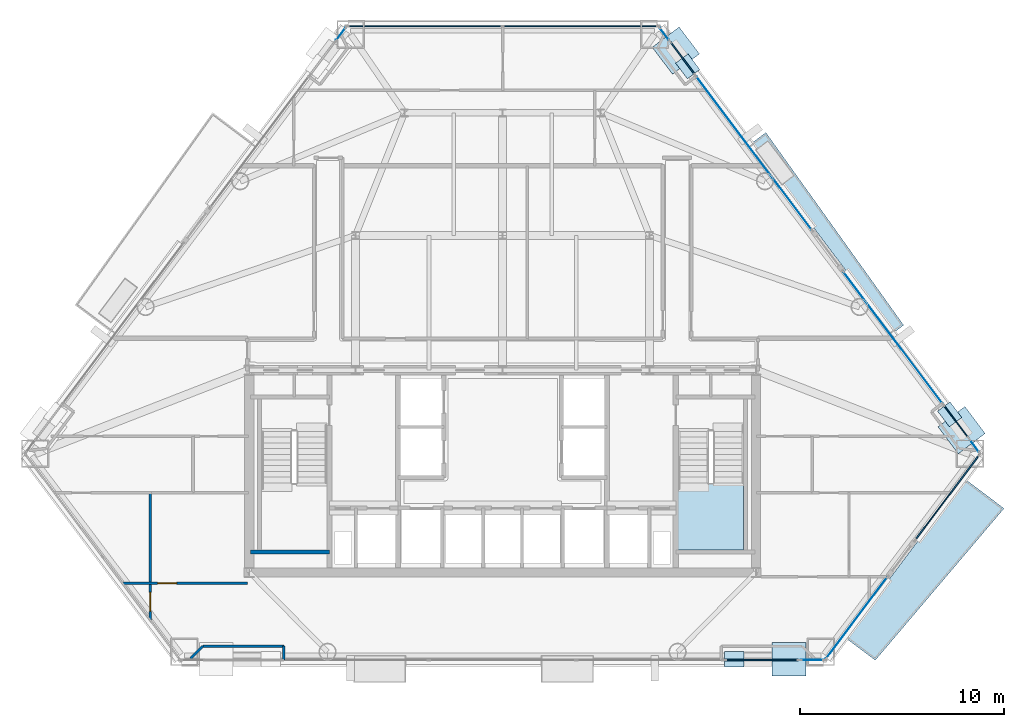
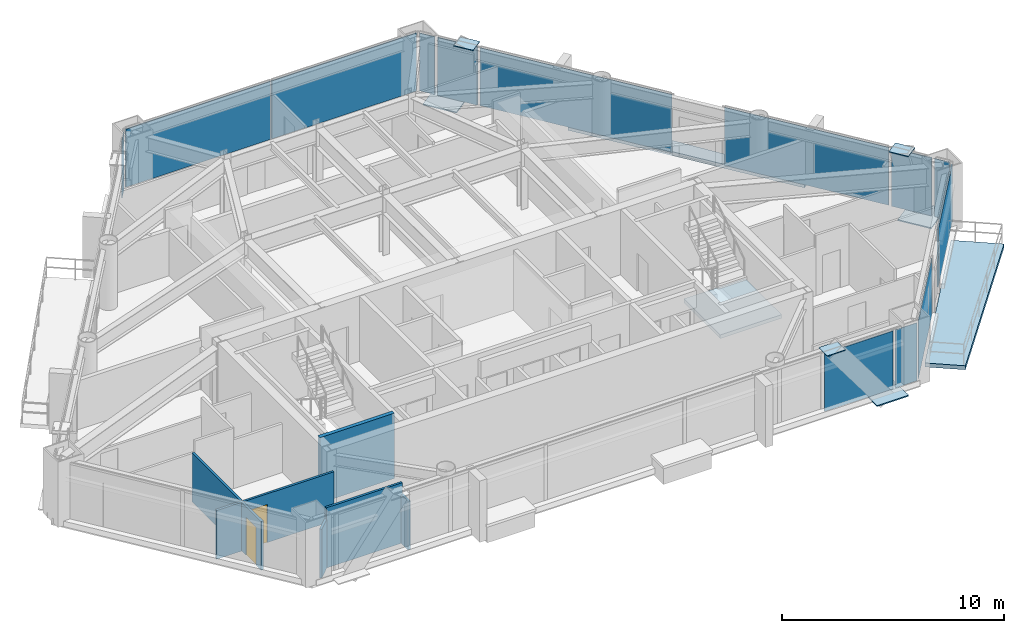
# One storey, part 8 of 14: 19 plates, 6 walls, 3 slabs, 2 doors, 2 openings, 13 elements without a shape of their own.
"""IFC4 building model written with IfcOpenShell, lengths in metres."""

from ifc_helpers import new_model, si_unit, direction, frame, frame_2d, origin, origin_2d, place, context, subcontext, project, spatial, polyline, rectangle, outline, extrude, source, transform, mapped, material, layer, layer_set, type_object, type_shapes, element, fill, aggregate, save


model = new_model("IFC4")

# Units and contexts
model_context = context("Model", 3, precision=1e-05, world=origin(), true_north=direction((0.0, 1.0)))
body_context = subcontext(model_context, "Body", "Model", "MODEL_VIEW")
ifc_project = project(units=[si_unit("LENGTHUNIT", "METRE"), si_unit("AREAUNIT", "SQUARE_METRE"), si_unit("VOLUMEUNIT", "CUBIC_METRE"), si_unit("PLANEANGLEUNIT", "RADIAN"), si_unit("MASSUNIT", "GRAM", prefix="KILO")], contexts=[model_context])

# Site, building, storey
site_placement = place(None, origin())
site = spatial("IfcSite", under=ifc_project, at=site_placement, CompositionType="ELEMENT")
building_placement = place(site_placement, origin())
building = spatial("IfcBuilding", under=site, at=building_placement, Name="Talgorran Terracotta Tower", CompositionType="ELEMENT")
storey_placement = place(building_placement, frame((0.0, 0.0, 56.699951171875)))
storey = spatial("IfcBuildingStorey", under=building, at=storey_placement, Name="L14", CompositionType="ELEMENT", Elevation=56.699951171875)

# Plates
ifc_material_1 = material(Name="Steel Grade 350 (350L0)", Category="steel")
ifc_layer_1 = layer(ifc_material_1, 0.0400390625, Name="PL_CAP_MN05")
ifc_layer_set_1 = layer_set([ifc_layer_1], Name="Steel Grade 350 (350L0)")
plate_type_1 = type_object("IfcPlateType", Name="PL_CAP_MN05", PredefinedType="USERDEFINED", material=ifc_layer_set_1)
for number, where, z_axis, x_axis, name in (
    (1, (11.3466796875, -18.35107421875, 3.2900390625), (0.0, 0.0, 1.0), (-1.0, 0.0, 0.0), "L14 Diagonal Frame End Cap SEF Top"),
    (2, (21.889892578125, -6.365478515625, 3.2900390625), (0.0, 0.0, 1.0), (-0.6013967761, 0.798950510167, 0.0), "L14 Diagonal Frame End Cap NEL Top"),
    (3, (9.0634765625, 10.67236328125, 3.2900390625), (0.0, 0.0, 1.0), (0.6013967761, -0.798950510167, 0.0), "L14 Diagonal Frame End Cap NEU Top"),
):
    element("IfcPlate", number, at=place(storey_placement, frame(where, z_axis=z_axis, x_axis=x_axis)), inside=storey, type_object=plate_type_1, Name=name, ObjectType="CAP PLATE", PredefinedType="USERDEFINED", context=body_context, shape_type="SweptSolid", body=[
        extrude(rectangle(XDim=0.9599609375, YDim=0.760009765625, at=origin_2d()), origin(), (0.0, 0.0, 1.0), 0.0400390625),
    ])
ifc_layer_2 = layer(ifc_material_1, 0.06005859375, Name="PL_NODE_MN01")
ifc_layer_set_2 = layer_set([ifc_layer_2], Name="Steel Grade 350 (350L0)")
plate_type_2 = type_object("IfcPlateType", Name="PL_NODE_MN01", PredefinedType="USERDEFINED", material=ifc_layer_set_2)
for number, where, z_axis, x_axis, name in (
    (4, (14.025634765625, -18.35107421875, -0.02001953125), (0.0, 0.0, 1.0), (-1.0, 0.0, 0.0), "L14 Diagonal Frame End Cap SEF Bot"),
    (5, (22.471435546875, -7.13818359375, -0.02001953125), (0.0, 0.0, 1.0), (-0.6013967761, 0.798950510167, 0.0), "L14 Diagonal Frame End Cap NEL Bot"),
    (6, (8.481689453125, 11.44482421875, -0.02001953125), (0.0, 0.0, 1.0), (0.6013967761, -0.798950510167, 0.0), "L14 Diagonal Frame End Cap NEU Bot"),
):
    element("IfcPlate", number, at=place(storey_placement, frame(where, z_axis=z_axis, x_axis=x_axis)), inside=storey, type_object=plate_type_2, Name=name, ObjectType="NODE PLATE", PredefinedType="USERDEFINED", context=body_context, shape_type="SweptSolid", body=[
        extrude(rectangle(XDim=1.64990234375, YDim=1.64990234375, at=origin_2d()), origin(), (0.0, 0.0, 1.0), 0.06005859375),
    ])

# Slabs
ifc_material_2 = material(Name="Concrete C40/50", Category="concrete")
ifc_layer_3 = layer(ifc_material_2, 0.219970703125, Name="SL_BALCONY_220")
ifc_layer_set_3 = layer_set([ifc_layer_3], Name="Concrete C40/50")
slab_type_1 = type_object("IfcSlabType", Name="SL_BALCONY_220", PredefinedType="FLOOR", material=ifc_layer_set_3)
slab_1_placement = place(storey_placement, frame((0.0, 0.0, -0.219970703125)))
element("IfcSlab", 7, at=slab_1_placement, inside=storey, type_object=slab_type_1, Name="L14 Outdoor Wave Balcony BAL-NE", PredefinedType="FLOOR", context=body_context, shape_type="SweptSolid", body=[
    extrude(outline(polyline([(12.14404296875, 6.87109375), (19.11328125, -2.386474609375), (19.63232421875, -1.99560546875), (12.88916015625, 7.43212890625), (12.14404296875, 6.87109375)])), origin(), (0.0, 0.0, 1.0), 0.219970703125),
])
slab_2_placement = place(storey_placement, frame((0.0, 0.0, -0.219970703125)))
element("IfcSlab", 8, at=slab_2_placement, inside=storey, type_object=slab_type_1, Name="L14 Outdoor Wave Balcony BAL-SE", PredefinedType="FLOOR", context=body_context, shape_type="SweptSolid", body=[
    extrude(outline(polyline([(22.62451171875, -9.522705078125), (16.774658203125, -17.293212890625), (18.246826171875, -18.401611328125), (24.548583984375, -10.970947265625), (22.62451171875, -9.522705078125)])), origin(), (0.0, 0.0, 1.0), 0.219970703125),
])

# Stair, slab
stair_type = type_object("IfcStairType", Name="ST_FIRE_SCISSOR", PredefinedType="HALF_TURN_STAIR", material=ifc_material_2)
stair_placement = place(storey_placement, origin())
stair = element("IfcStair", 9, at=stair_placement, inside=storey, type_object=stair_type, Name="L14 East Protected Fire Stair ST-02", PredefinedType="HALF_TURN_STAIR")
ifc_layer_4 = layer(ifc_material_2, 0.199951171875, Name="SL_LANDING_200")
ifc_layer_set_4 = layer_set([ifc_layer_4], Name="Concrete C40/50")
slab_type_2 = type_object("IfcSlabType", Name="SL_LANDING_200", PredefinedType="LANDING", material=ifc_layer_set_4)
slab_3_placement = place(storey_placement, frame((0.0, 0.0, 1.60009765625)))
slab_3 = element("IfcSlab", 10, at=slab_3_placement, type_object=slab_type_2, Name="ST-02 landing 1", PredefinedType="LANDING", context=body_context, shape_type="SweptSolid", body=[
    extrude(outline(polyline([(8.60009765625, -9.719970703125), (8.60009765625, -13.0), (11.800048828125, -13.0), (11.800048828125, -9.719970703125), (8.60009765625, -9.719970703125)])), origin(), (0.0, 0.0, 1.0), 0.199951171875),
])
aggregate(stair, [slab_3])

# Curtain wall, plate
ifc_material_3 = material(Name="Unitised Low-E Double Glazing", Category="glass")
ifc_layer_5 = layer(ifc_material_3, 0.199951171875, Name="CW_SYS2_RES_LOW")
ifc_layer_set_5 = layer_set([ifc_layer_5], Name="Unitised Low-E Double Glazing")
curtain_wall_type = type_object("IfcCurtainWallType", Name="CW_SYS2_RES_LOW", PredefinedType="NOTDEFINED", material=ifc_layer_set_5)
curtain_wall_1_placement = place(storey_placement, origin())
curtain_wall_1 = element("IfcCurtainWall", 11, at=curtain_wall_1_placement, inside=storey, type_object=curtain_wall_type, Name="CW-L14-F1E", PredefinedType="NOTDEFINED")
ifc_material_4 = material(Name="Low-E Laminated Vision Glass", Category="glass")
ifc_layer_6 = layer(ifc_material_4, 0.028076171875, Name="PLT_VISION_28")
ifc_layer_set_6 = layer_set([ifc_layer_6], Name="Low-E Laminated Vision Glass")
plate_type_3 = type_object("IfcPlateType", Name="PLT_VISION_28", PredefinedType="CURTAIN_PANEL", material=ifc_layer_set_6)
shared_shape_1 = source(origin(), body_context, "Body", "SweptSolid", [
    extrude(rectangle(XDim=1.1083984375, YDim=0.028076171875, at=origin_2d()), origin(), (0.0, 0.0, 1.0), 3.18994140625),
])
plate_1_placement = place(storey_placement, frame((15.159912109375, -18.39111328125, 0.065185546875), z_axis=(0.0, 0.0, 1.0), x_axis=(1.0, 0.0, 0.0)))
plate_1 = element("IfcPlate", 12, at=plate_1_placement, type_object=plate_type_3, Name="CW-L14-1E panel 1.1", PredefinedType="CURTAIN_PANEL", context=body_context, shape_type="MappedRepresentation", body=[
    mapped(shared_shape_1, transform((0.0, 0.0, 0.0), scale=1.0)),
])
aggregate(curtain_wall_1, [plate_1])

curtain_wall_2_placement = place(storey_placement, origin())
curtain_wall_2 = element("IfcCurtainWall", 13, at=curtain_wall_2_placement, inside=storey, type_object=curtain_wall_type, Name="CW-L14-F1D", PredefinedType="NOTDEFINED")
ifc_material_5 = material(Name="Terracotta Insulated Spandrel", Category="masonry")
ifc_layer_7 = layer(ifc_material_5, 0.06494140625, Name="PLT_SPANDREL_TERRA")
ifc_layer_set_7 = layer_set([ifc_layer_7], Name="Terracotta Insulated Spandrel")
plate_type_4 = type_object("IfcPlateType", Name="PLT_SPANDREL_TERRA", PredefinedType="SHEET", material=ifc_layer_set_7)
shared_shape_2 = source(origin(), body_context, "Body", "SweptSolid", [
    extrude(rectangle(XDim=3.560546875, YDim=0.06494140625, at=origin_2d()), origin(), (0.0, 0.0, 1.0), 3.18994140625),
])
plate_2_placement = place(storey_placement, frame((12.685302734375, -18.39111328125, 0.065185546875), z_axis=(0.0, 0.0, 1.0), x_axis=(1.0, 0.0, 0.0)))
plate_2 = element("IfcPlate", 14, at=plate_2_placement, type_object=plate_type_4, Name="CW-L14-1D panel 1.1", PredefinedType="CURTAIN_PANEL", context=body_context, shape_type="MappedRepresentation", body=[
    mapped(shared_shape_2, transform((0.0, 0.0, 0.0), scale=1.0)),
])
aggregate(curtain_wall_2, [plate_2])

curtain_wall_3_placement = place(storey_placement, origin())
curtain_wall_3 = element("IfcCurtainWall", 15, at=curtain_wall_3_placement, inside=storey, type_object=curtain_wall_type, Name="CW-L14-F30", PredefinedType="NOTDEFINED")
shared_shape_3 = source(origin(), body_context, "Body", "SweptSolid", [
    extrude(rectangle(XDim=4.970947265625, YDim=0.028076171875, at=origin_2d()), origin(), (0.0, 0.0, 1.0), 3.18994140625),
])
plate_3_placement = place(storey_placement, frame((17.337158203125, -16.321533203125, 0.065185546875), z_axis=(0.0, 0.0, 1.0), x_axis=(0.601441904389, 0.798916538598, 0.0)))
plate_3 = element("IfcPlate", 16, at=plate_3_placement, type_object=plate_type_3, Name="CW-L14-30 panel 1.1", PredefinedType="CURTAIN_PANEL", context=body_context, shape_type="MappedRepresentation", body=[
    mapped(shared_shape_3, transform((0.0, 0.0, 0.0), scale=1.0)),
])
aggregate(curtain_wall_3, [plate_3])

curtain_wall_4_placement = place(storey_placement, origin())
curtain_wall_4 = element("IfcCurtainWall", 17, at=curtain_wall_4_placement, inside=storey, type_object=curtain_wall_type, Name="CW-L14-F31", PredefinedType="NOTDEFINED")
shared_shape_4 = source(origin(), body_context, "Body", "SweptSolid", [
    extrude(rectangle(XDim=5.1767578125, YDim=0.06494140625, at=origin_2d()), origin(), (0.0, 0.0, 1.0), 3.18994140625),
])
plate_4_placement = place(storey_placement, frame((21.76611328125, -10.4384765625, 0.065185546875), z_axis=(0.0, 0.0, 1.0), x_axis=(0.601446242942, 0.798913272421, 0.0)))
plate_4 = element("IfcPlate", 18, at=plate_4_placement, type_object=plate_type_4, Name="CW-L14-31 panel 1.1", PredefinedType="CURTAIN_PANEL", context=body_context, shape_type="MappedRepresentation", body=[
    mapped(shared_shape_4, transform((0.0, 0.0, 0.0), scale=1.0)),
])
aggregate(curtain_wall_4, [plate_4])

curtain_wall_5_placement = place(storey_placement, origin())
curtain_wall_5 = element("IfcCurtainWall", 19, at=curtain_wall_5_placement, inside=storey, type_object=curtain_wall_type, Name="CW-L14-F40", PredefinedType="NOTDEFINED")
shared_shape_5 = source(origin(), body_context, "Body", "SweptSolid", [
    extrude(rectangle(XDim=0.7490234375, YDim=0.028076171875, at=origin_2d()), origin(), (0.0, 0.0, 1.0), 3.18994140625),
])
plate_5_placement = place(storey_placement, frame((23.09765625, -7.903564453125, 0.065185546875), z_axis=(0.0, 0.0, 1.0), x_axis=(-0.601418977131, 0.798933798225, 0.0)))
plate_5 = element("IfcPlate", 20, at=plate_5_placement, type_object=plate_type_3, Name="CW-L14-40 panel 1.1", PredefinedType="CURTAIN_PANEL", context=body_context, shape_type="MappedRepresentation", body=[
    mapped(shared_shape_5, transform((0.0, 0.0, 0.0), scale=1.0)),
])
aggregate(curtain_wall_5, [plate_5])

curtain_wall_6_placement = place(storey_placement, origin())
curtain_wall_6 = element("IfcCurtainWall", 21, at=curtain_wall_6_placement, inside=storey, type_object=curtain_wall_type, Name="CW-L14-F40B", PredefinedType="NOTDEFINED")
shared_shape_6 = source(origin(), body_context, "Body", "SweptSolid", [
    extrude(rectangle(XDim=1.955322265625, YDim=0.06494140625, at=origin_2d()), origin(), (0.0, 0.0, 1.0), 3.18994140625),
])
plate_6_placement = place(storey_placement, frame((22.2001953125, -6.71142578125, 0.065185546875), z_axis=(0.0, 0.0, 1.0), x_axis=(-0.601441486788, 0.798916852976, 0.0)))
plate_6 = element("IfcPlate", 22, at=plate_6_placement, type_object=plate_type_4, Name="CW-L14-40B panel 1.1", PredefinedType="CURTAIN_PANEL", context=body_context, shape_type="MappedRepresentation", body=[
    mapped(shared_shape_6, transform((0.0, 0.0, 0.0), scale=1.0)),
])
aggregate(curtain_wall_6, [plate_6])

curtain_wall_7_placement = place(storey_placement, origin())
curtain_wall_7 = element("IfcCurtainWall", 23, at=curtain_wall_7_placement, inside=storey, type_object=curtain_wall_type, Name="CW-L14-F41B", PredefinedType="NOTDEFINED")
plate_7_placement = place(storey_placement, frame((8.81689453125, 11.066162109375, 0.065185546875), z_axis=(0.0, 0.0, 1.0), x_axis=(-0.601441486788, 0.798916852976, 0.0)))
plate_7 = element("IfcPlate", 24, at=plate_7_placement, type_object=plate_type_4, Name="CW-L14-41B panel 1.1", PredefinedType="CURTAIN_PANEL", context=body_context, shape_type="MappedRepresentation", body=[
    mapped(shared_shape_6, transform((0.0, 0.0, 0.0), scale=1.0)),
])
aggregate(curtain_wall_7, [plate_7])

curtain_wall_8_placement = place(storey_placement, origin())
curtain_wall_8 = element("IfcCurtainWall", 25, at=curtain_wall_8_placement, inside=storey, type_object=curtain_wall_type, Name="CW-L14-F40C", PredefinedType="NOTDEFINED")
shared_shape_7 = source(origin(), body_context, "Body", "SweptSolid", [
    extrude(rectangle(XDim=8.041259765625, YDim=0.028076171875, at=origin_2d()), origin(), (0.0, 0.0, 1.0), 3.18994140625),
])
plate_8_placement = place(storey_placement, frame((19.10986328125, -2.606201171875, 0.065185546875), z_axis=(0.0, 0.0, 1.0), x_axis=(-0.601444072971, 0.798914906037, 0.0)))
plate_8 = element("IfcPlate", 26, at=plate_8_placement, type_object=plate_type_3, Name="CW-L14-40C panel 1.1", PredefinedType="CURTAIN_PANEL", context=body_context, shape_type="MappedRepresentation", body=[
    mapped(shared_shape_7, transform((0.0, 0.0, 0.0), scale=1.0)),
])
aggregate(curtain_wall_8, [plate_8])

curtain_wall_9_placement = place(storey_placement, origin())
curtain_wall_9 = element("IfcCurtainWall", 27, at=curtain_wall_9_placement, inside=storey, type_object=curtain_wall_type, Name="CW-L14-F41", PredefinedType="NOTDEFINED")
shared_shape_8 = source(origin(), body_context, "Body", "SweptSolid", [
    extrude(rectangle(XDim=9.385498046875, YDim=0.028076171875, at=origin_2d()), origin(), (0.0, 0.0, 1.0), 3.18994140625),
])
plate_9_placement = place(storey_placement, frame((12.3115234375, 6.424072265625, 0.065185546875), z_axis=(0.0, 0.0, 1.0), x_axis=(-0.601440044601, 0.798917938683, 0.0)))
plate_9 = element("IfcPlate", 28, at=plate_9_placement, type_object=plate_type_3, Name="CW-L14-41 panel 1.1", PredefinedType="CURTAIN_PANEL", context=body_context, shape_type="MappedRepresentation", body=[
    mapped(shared_shape_8, transform((0.0, 0.0, 0.0), scale=1.0)),
])
aggregate(curtain_wall_9, [plate_9])

curtain_wall_10_placement = place(storey_placement, origin())
curtain_wall_10 = element("IfcCurtainWall", 29, at=curtain_wall_10_placement, inside=storey, type_object=curtain_wall_type, Name="CW-L14-F41C", PredefinedType="NOTDEFINED")
shared_shape_9 = source(origin(), body_context, "Body", "SweptSolid", [
    extrude(rectangle(XDim=0.73876953125, YDim=0.028076171875, at=origin_2d()), origin(), (0.0, 0.0, 1.0), 3.18994140625),
])
type_shapes(plate_type_3, [shared_shape_1, shared_shape_3, shared_shape_5, shared_shape_7, shared_shape_8, shared_shape_9])
plate_10_placement = place(storey_placement, frame((7.922607421875, 12.254150390625, 0.065185546875), z_axis=(0.0, 0.0, 1.0), x_axis=(-0.601417135668, 0.798935184433, 0.0)))
plate_10 = element("IfcPlate", 30, at=plate_10_placement, type_object=plate_type_3, Name="CW-L14-41C panel 1.1", PredefinedType="CURTAIN_PANEL", context=body_context, shape_type="MappedRepresentation", body=[
    mapped(shared_shape_9, transform((0.0, 0.0, 0.0), scale=1.0)),
])
aggregate(curtain_wall_10, [plate_10])

curtain_wall_11_placement = place(storey_placement, origin())
curtain_wall_11 = element("IfcCurtainWall", 31, at=curtain_wall_11_placement, inside=storey, type_object=curtain_wall_type, Name="CW-L14-F60", PredefinedType="NOTDEFINED")
plate_11_placement = place(storey_placement, frame((-7.922607421875, 12.254150390625, 0.065185546875), z_axis=(0.0, 0.0, 1.0), x_axis=(-0.601417135668, -0.798935184433, 0.0)))
plate_11 = element("IfcPlate", 32, at=plate_11_placement, type_object=plate_type_3, Name="CW-L14-60 panel 1.1", PredefinedType="CURTAIN_PANEL", context=body_context, shape_type="MappedRepresentation", body=[
    mapped(shared_shape_9, transform((0.0, 0.0, 0.0), scale=1.0)),
])
aggregate(curtain_wall_11, [plate_11])

# Curtain wall, plates
curtain_wall_12_placement = place(storey_placement, origin())
curtain_wall_12 = element("IfcCurtainWall", 33, at=curtain_wall_12_placement, inside=storey, type_object=curtain_wall_type, Name="CW-L14-F4", PredefinedType="NOTDEFINED")
shared_shape_10 = source(origin(), body_context, "Body", "SweptSolid", [
    extrude(rectangle(XDim=7.539794921875, YDim=0.06494140625, at=origin_2d()), origin(), (0.0, 0.0, 1.0), 3.18994140625),
])
type_shapes(plate_type_4, [shared_shape_2, shared_shape_4, shared_shape_6, shared_shape_10])
plate_12_placement = place(storey_placement, frame((3.80224609375, 12.63330078125, 0.065185546875), z_axis=(0.0, 0.0, 1.0), x_axis=(-1.0, 0.0, 0.0)))
plate_12 = element("IfcPlate", 34, at=plate_12_placement, type_object=plate_type_4, Name="CW-L14-4 panel 1.1", PredefinedType="CURTAIN_PANEL", context=body_context, shape_type="MappedRepresentation", body=[
    mapped(shared_shape_10, transform((0.0, 0.0, 0.0), scale=1.0)),
])
plate_13_placement = place(storey_placement, frame((-3.80224609375, 12.63330078125, 0.065185546875), z_axis=(0.0, 0.0, 1.0), x_axis=(-1.0, 0.0, 0.0)))
plate_13 = element("IfcPlate", 35, at=plate_13_placement, type_object=plate_type_4, Name="CW-L14-4 panel 2.1", PredefinedType="CURTAIN_PANEL", context=body_context, shape_type="MappedRepresentation", body=[
    mapped(shared_shape_10, transform((0.0, 0.0, 0.0), scale=1.0)),
])
aggregate(curtain_wall_12, [plate_12, plate_13])

# Wall
ifc_material_6 = material(Name="Concrete C50/60", Category="concrete")
ifc_layer_8 = layer(ifc_material_6, 0.199951171875, Name="WT_CORE_200")
ifc_layer_set_8 = layer_set([ifc_layer_8], Name="Concrete C50/60")
wall_type_1 = type_object("IfcWallType", Name="WT_CORE_200", PredefinedType="SOLIDWALL", material=ifc_layer_set_8)
wall_1_placement = place(storey_placement, frame((-12.35009765625, -13.10009765625, 0.0), z_axis=(0.0, 0.0, 1.0), x_axis=(1.0, 0.0, 0.0)))
element("IfcWall", 36, at=wall_1_placement, inside=storey, type_object=wall_type_1, Name="WL-L14-CW-ST1-S", PredefinedType="SOLIDWALL", context=body_context, shape_type="SweptSolid", body=[
    extrude(rectangle(XDim=3.8701171875, YDim=0.199951171875, at=frame_2d((1.93505859375, 0.0))), origin(), (0.0, 0.0, 1.0), 3.60009765625),
])

# Wall, opening, door
ifc_material_7 = material(Name="Insulated Steel Stud Plasterboard", Category="steel")
ifc_layer_9 = layer(ifc_material_7, 0.1201171875, Name="WT_PART_120")
ifc_layer_set_9 = layer_set([ifc_layer_9], Name="Insulated Steel Stud Plasterboard")
wall_type_2 = type_object("IfcWallType", Name="WT_PART_120", PredefinedType="PARTITIONING", material=ifc_layer_set_9)
wall_2_placement = place(storey_placement, frame((-17.239990234375, -16.450439453125, 0.0), z_axis=(0.0, 0.0, 1.0), x_axis=(0.0, 1.0, 0.0)))
wall_2 = element("IfcWall", 37, at=wall_2_placement, inside=storey, type_object=wall_type_2, Name="WL-L14-W-L14-R25", PredefinedType="PARTITIONING", context=body_context, shape_type="SweptSolid", body=[
    extrude(rectangle(XDim=6.25048828125, YDim=0.1201171875, at=frame_2d((3.125244140625, 0.0))), origin(), (0.0, 0.0, 1.0), 2.683349609375),
])
opening_1_placement = place(wall_2_placement, frame((0.446044921875, 0.0, 0.0)))
opening_1 = element("IfcOpeningElement", 38, at=opening_1_placement, cuts=wall_2, Name="Opening DR-L14-R05", PredefinedType="OPENING", context=body_context, shape_type="SweptSolid", body=[
    extrude(rectangle(XDim=0.925921875, YDim=2.10409765625, at=frame_2d((0.4599609375, 1.052001953125))), frame((0.0, 0.070068359375, 0.0), z_axis=(0.0, -1.0, 0.0), x_axis=(1.0, 0.0, 0.0)), (0.0, 0.0, 1.0), 0.14013671875),
])
ifc_material_8 = material(Name="Solid-Core Painted Timber", Category="wood")
door_type = type_object("IfcDoorType", Name="DT_INT_920", OperationType="NOTDEFINED", PredefinedType="DOOR", material=ifc_material_8)
door_1_placement = place(opening_1_placement, origin())
door_1 = element("IfcDoor", 39, at=door_1_placement, inside=storey, type_object=door_type, Name="DR-L14-R05", OperationType="SINGLE_SWING_LEFT", OverallHeight=2.10009765625, OverallWidth=0.919921875, PredefinedType="DOOR", context=body_context, shape_type="SweptSolid", body=[
    extrude(rectangle(XDim=0.919921875, YDim=2.10009765625, at=frame_2d((0.4599609375, 1.050048828125))), frame((0.0, 0.02490234375, 0.0), z_axis=(0.0, -1.0, 0.0), x_axis=(1.0, 0.0, 0.0)), (0.0, 0.0, 1.0), 0.050048828125),
])
fill(opening_1, door_1)

wall_3_placement = place(storey_placement, frame((-18.60302734375, -14.639892578125, 0.0), z_axis=(0.0, 0.0, 1.0), x_axis=(1.0, 0.0, 0.0)))
wall_3 = element("IfcWall", 40, at=wall_3_placement, inside=storey, type_object=wall_type_2, Name="WL-L14-W-L14-R26", PredefinedType="PARTITIONING", context=body_context, shape_type="SweptSolid", body=[
    extrude(rectangle(XDim=6.10302734375, YDim=0.1201171875, at=frame_2d((3.051513671875, 0.0))), origin(), (0.0, 0.0, 1.0), 2.683349609375),
])
opening_2_placement = place(wall_3_placement, frame((1.7216796875, 0.0, 0.0)))
opening_2 = element("IfcOpeningElement", 41, at=opening_2_placement, cuts=wall_3, Name="Opening DR-L14-R06", PredefinedType="OPENING", context=body_context, shape_type="SweptSolid", body=[
    extrude(rectangle(XDim=0.925921875, YDim=2.10409765625, at=frame_2d((0.4599609375, 1.052001953125))), frame((0.0, 0.070068359375, 0.0), z_axis=(0.0, -1.0, 0.0), x_axis=(1.0, 0.0, 0.0)), (0.0, 0.0, 1.0), 0.14013671875),
])
door_2_placement = place(opening_2_placement, origin())
door_2 = element("IfcDoor", 42, at=door_2_placement, inside=storey, type_object=door_type, Name="DR-L14-R06", OperationType="SINGLE_SWING_RIGHT", OverallHeight=2.10009765625, OverallWidth=0.919921875, PredefinedType="DOOR", context=body_context, shape_type="SweptSolid", body=[
    extrude(rectangle(XDim=0.919921875, YDim=2.10009765625, at=frame_2d((0.4599609375, 1.050048828125))), frame((0.0, 0.02490234375, 0.0), z_axis=(0.0, -1.0, 0.0), x_axis=(1.0, 0.0, 0.0)), (0.0, 0.0, 1.0), 0.050048828125),
])
fill(opening_2, door_2)

# Walls
wall_4_placement = place(storey_placement, frame((-14.665771484375, -17.711181640625, 0.0), z_axis=(0.0, 0.0, 1.0), x_axis=(1.0, 0.0, 0.0)))
element("IfcWall", 43, at=wall_4_placement, inside=storey, type_object=wall_type_2, Name="WL-L14-BW-L14-01", PredefinedType="PARTITIONING", context=body_context, shape_type="SweptSolid", body=[
    extrude(rectangle(XDim=3.959228515625, YDim=0.1201171875, at=frame_2d((1.9794921875, 0.0))), origin(), (0.0, 0.0, 1.0), 3.320068359375),
])
wall_5_placement = place(storey_placement, frame((-15.271240234375, -18.307373046875, 0.0), z_axis=(0.0, 0.0, 1.0), x_axis=(0.712544720488, 0.701626696545, 0.0)))
element("IfcWall", 44, at=wall_5_placement, inside=storey, type_object=wall_type_2, Name="WL-L14-BW-L14-03", PredefinedType="PARTITIONING", context=body_context, shape_type="SweptSolid", body=[
    extrude(rectangle(XDim=0.849609375, YDim=0.1201171875, at=frame_2d((0.4248046875, 0.0))), origin(), (0.0, 0.0, 1.0), 2.683349609375),
])
wall_6_placement = place(storey_placement, frame((-10.70654296875, -17.711181640625, 0.0), z_axis=(0.0, 0.0, 1.0), x_axis=(0.0, -1.0, 0.0)))
element("IfcWall", 45, at=wall_6_placement, inside=storey, type_object=wall_type_2, Name="WL-L14-BW-L14-02", PredefinedType="PARTITIONING", context=body_context, shape_type="SweptSolid", body=[
    extrude(rectangle(XDim=0.669921875, YDim=0.1201171875, at=frame_2d((0.3349609375, 0.0))), origin(), (0.0, 0.0, 1.0), 2.683349609375),
])

save(model, "model.ifc")
